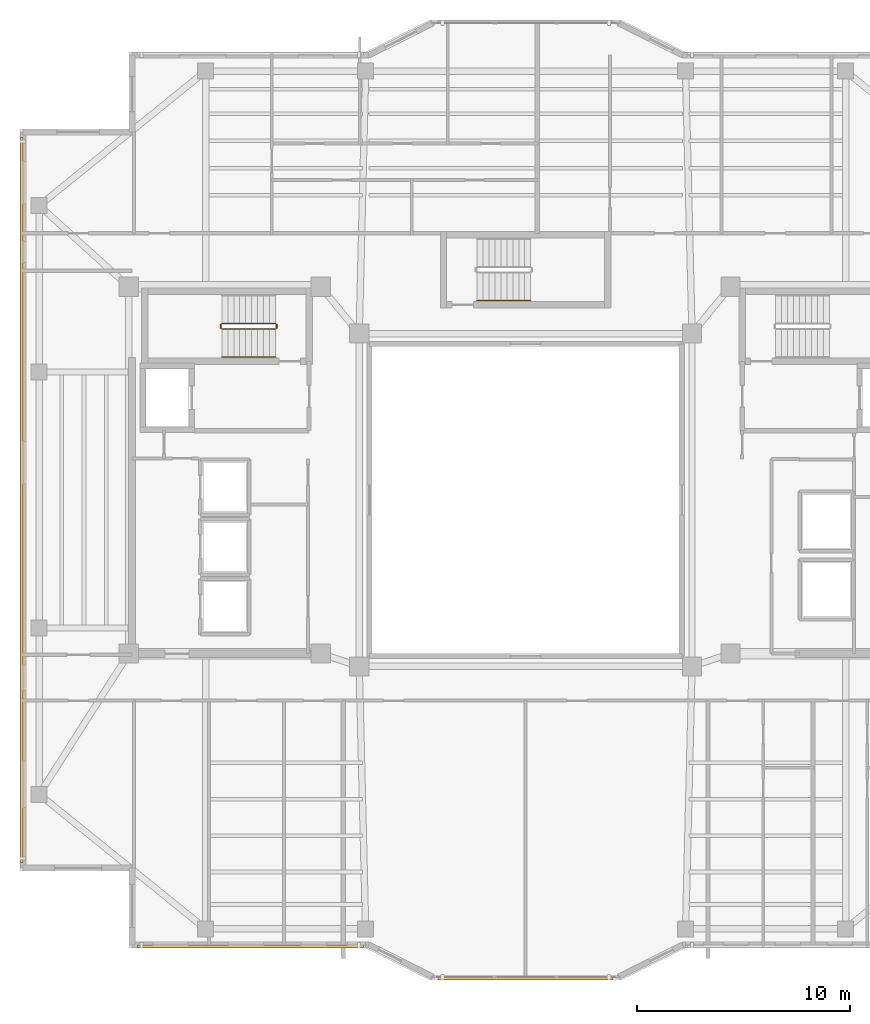
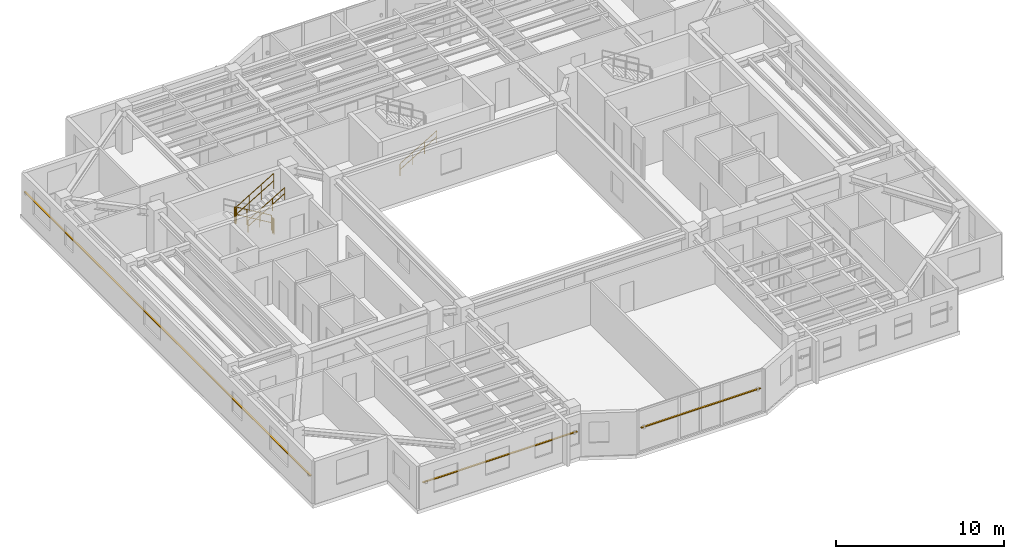
# One storey, part 11 of 13: 6 railings, 3 shading devices.
"""IFC4 building model written with IfcOpenShell, lengths in metres."""

import ifcopenshell
import ifcopenshell.guid

model = None  # the IFC model being written
_history = None  # IfcOwnerHistory: only IFC2X3 demands one
_inside = {}  # id of a spatial element -> (the spatial element, [elements in it])
_under = {}  # id of a project, library or spatial element -> (it, [spatial elements below it])
_declared = {}  # id of a project -> (the project, [libraries it declares])
_typed = {}  # id of a type object -> (the type object, [elements of that type])
_made_of = {}  # id of a material, layer set ... -> (it, [elements and type objects made of it])


def new_model(schema):
    """Start an empty IFC model of exactly this schema.

    Asked for "IFC4X3", IfcOpenShell would pick the latest addendum, in which some entities
    have other attributes; the version numbers below select the first issue.
    IFC2X3 requires an IfcOwnerHistory on every rooted entity: one is made here for all.
    """
    global model, _history
    if schema == "IFC4X3":
        model = ifcopenshell.file(schema_version=(4, 3, 0, 0))
    else:
        model = ifcopenshell.file(schema=schema)
    _inside.clear()
    _under.clear()
    _declared.clear()
    _typed.clear()
    _made_of.clear()
    _history = None
    if model.schema == "IFC2X3":
        org = make("IfcOrganization", Name="unknown")
        user = make(
            "IfcPersonAndOrganization",
            ThePerson=make("IfcPerson", FamilyName="unknown"),
            TheOrganization=org,
        )
        app = make(
            "IfcApplication",
            ApplicationDeveloper=org,
            Version="unknown",
            ApplicationFullName="unknown",
            ApplicationIdentifier="unknown",
        )
        _history = make(
            "IfcOwnerHistory",
            OwningUser=user,
            OwningApplication=app,
            ChangeAction="ADDED",
            CreationDate=0,
        )
    return model


def make(cls, **values):
    """One entity of the class cls with the attributes given. An attribute that is None is left unset."""
    return model.create_entity(
        cls, **{name: value for name, value in values.items() if value is not None}
    )


def rooted(cls, **values):
    """An entity with a GlobalId (a new one), such as an element, a storey or a relation."""
    return make(cls, GlobalId=ifcopenshell.guid.new(), OwnerHistory=_history, **values)


def si_unit(unit_type, name, prefix=None):
    """IfcSIUnit, for example si_unit("LENGTHUNIT", "METRE", prefix="MILLI")."""
    return make("IfcSIUnit", UnitType=unit_type, Prefix=prefix, Name=name)


def assignment(units):
    """IfcUnitAssignment: the units of a project."""
    return None if units is None else make("IfcUnitAssignment", Units=units)


def point(xyz):
    """IfcCartesianPoint."""
    return None if xyz is None else make("IfcCartesianPoint", Coordinates=xyz)


def direction(xyz):
    """IfcDirection."""
    return None if xyz is None else make("IfcDirection", DirectionRatios=xyz)


def frame(location, z_axis=None, x_axis=None):
    """IfcAxis2Placement3D, a coordinate frame: its origin and axes. An axis left out is left unset."""
    return make(
        "IfcAxis2Placement3D",
        Location=point(location),
        Axis=direction(z_axis),
        RefDirection=direction(x_axis),
    )


def frame_2d(location, x_axis=None):
    """IfcAxis2Placement2D, a coordinate frame in the plane: its origin and x axis."""
    return make(
        "IfcAxis2Placement2D", Location=point(location), RefDirection=direction(x_axis)
    )


def origin():
    """The frame at (0, 0, 0) with its axes left unset."""
    return frame((0.0, 0.0, 0.0))


def origin_2d():
    """The frame at (0, 0) in the plane with its x axis left unset."""
    return frame_2d((0.0, 0.0))


def place(relative_to, where):
    """IfcLocalPlacement: puts the frame where relative to a parent placement (None: the world)."""
    return make(
        "IfcLocalPlacement", PlacementRelTo=relative_to, RelativePlacement=where
    )


def context(
    kind, dimensions, precision=None, world=None, true_north=None, identifier=None
):
    """IfcGeometricRepresentationContext, for example the 3D "Model" context."""
    return make(
        "IfcGeometricRepresentationContext",
        ContextIdentifier=identifier,
        ContextType=kind,
        CoordinateSpaceDimension=dimensions,
        Precision=precision,
        WorldCoordinateSystem=world,
        TrueNorth=true_north,
    )


def subcontext(parent, identifier, kind, view, scale=None):
    """IfcGeometricRepresentationSubContext, for example "Body" below "Model"."""
    return make(
        "IfcGeometricRepresentationSubContext",
        ContextIdentifier=identifier,
        ContextType=kind,
        ParentContext=parent,
        TargetScale=scale,
        TargetView=view,
    )


def project(units=None, contexts=None):
    """IfcProject with its units and contexts."""
    return rooted(
        "IfcProject",
        Name="project",
        RepresentationContexts=contexts,
        UnitsInContext=assignment(units),
    )


def spatial(cls, under=None, at=None, **own):
    """A site, building, storey or space (cls), placed at a placement, below another one or the project."""
    s = rooted(cls, ObjectPlacement=at, **own)
    if under is not None:
        _under.setdefault(under.id(), (under, []))[1].append(s)
    return s


def profile(cls, at=None, kind="AREA", **sizes):
    """A parametric profile (cls). Its sizes go by their IFC names, for example OverallWidth=200.0."""
    return make(cls, ProfileType=kind, Position=at, **sizes)


def rectangle(**sizes):
    """IfcRectangleProfileDef."""
    return profile("IfcRectangleProfileDef", **sizes)


def circle(**sizes):
    """IfcCircleProfileDef."""
    return profile("IfcCircleProfileDef", **sizes)


def extrude(swept, where, along, depth):
    """IfcExtrudedAreaSolid: the profile swept, set in the frame where, extruded along a direction by depth."""
    return make(
        "IfcExtrudedAreaSolid",
        SweptArea=swept,
        Position=where,
        ExtrudedDirection=direction(along),
        Depth=depth,
    )


def shape(context_of_items, identifier, shape_type, items):
    """IfcShapeRepresentation: the items that make up one representation, for example the "Body"."""
    return make(
        "IfcShapeRepresentation",
        ContextOfItems=context_of_items,
        RepresentationIdentifier=identifier,
        RepresentationType=shape_type,
        Items=items,
    )


def material(Name=None, Category=None):
    """IfcMaterial."""
    return make("IfcMaterial", Name=Name, Category=Category)


def material_profile(
    of_material, cross_section, Name=None, Category=None, Priority=None
):
    """IfcMaterialProfile: a cross section and its material."""
    return make(
        "IfcMaterialProfile",
        Name=Name,
        Material=of_material,
        Profile=cross_section,
        Priority=Priority,
        Category=Category,
    )


def profile_set(profiles, Name=None, composite=None):
    """IfcMaterialProfileSet."""
    return make(
        "IfcMaterialProfileSet",
        Name=Name,
        MaterialProfiles=profiles,
        CompositeProfile=composite,
    )


def made_of(thing, what):
    """Note that an element or type object is made of a material, layer set ...; save() writes the relation."""
    if what is not None:
        _made_of.setdefault(what.id(), (what, []))[1].append(thing)
    return thing


def type_object(cls, material=None, **own):
    """A type object (cls), such as IfcWallType, which elements share."""
    return made_of(rooted(cls, **own), material)


def element(
    cls,
    number,
    at=None,
    inside=None,
    cuts=None,
    type_object=None,
    material=None,
    context=None,
    identifier="Body",
    shape_type=None,
    held_by="IfcProductDefinitionShape",
    body=None,
    shapes=None,
    **own,
):
    """One element of the class cls, such as IfcWall. Its Tag is "e" and its number.

    at: its placement. inside: the storey or other place that contains it. cuts: it is an
    opening in that element (IfcRelVoidsElement). A single representation is given by context,
    identifier, shape_type and body (its items); several are given by shapes. held_by: the class
    of the entity that holds the representations. save() writes the other relations.
    """
    e = rooted(cls, Tag="e%d" % number, ObjectPlacement=at, **own)
    if body is not None:
        shapes = [shape(context, identifier, shape_type, body)]
    if shapes is not None:
        e.Representation = make(held_by, Representations=shapes)
    if inside is not None:
        _inside.setdefault(inside.id(), (inside, []))[1].append(e)
    if cuts is not None:
        rooted(
            "IfcRelVoidsElement", RelatingBuildingElement=cuts, RelatedOpeningElement=e
        )
    if type_object is not None:
        _typed.setdefault(type_object.id(), (type_object, []))[1].append(e)
    return made_of(e, material)


def aggregate(whole, parts):
    """IfcRelAggregates: a whole, such as a stair, and the parts it consists of."""
    return rooted("IfcRelAggregates", RelatingObject=whole, RelatedObjects=parts)


def save(model, path):
    """Write the relations noted so far, then the file.

    IfcRelAggregates (storeys below a building ...), IfcRelContainedInSpatialStructure (elements
    in a storey), IfcRelDefinesByType, IfcRelAssociatesMaterial and IfcRelDeclares: one each for
    every whole, place, type object, material and project.
    """
    for whole, parts in _under.values():
        aggregate(whole, parts)
    for where, things in _inside.values():
        rooted(
            "IfcRelContainedInSpatialStructure",
            RelatedElements=things,
            RelatingStructure=where,
        )
    for kind, things in _typed.values():
        rooted("IfcRelDefinesByType", RelatedObjects=things, RelatingType=kind)
    for what, things in _made_of.values():
        rooted("IfcRelAssociatesMaterial", RelatedObjects=things, RelatingMaterial=what)
    for by, libraries in _declared.values():
        rooted("IfcRelDeclares", RelatingContext=by, RelatedDefinitions=libraries)
    model.write(path)


model = new_model("IFC4")

# Units and contexts
model_context = context("Model", 3, precision=1e-05, world=origin(), true_north=direction((0.0, 1.0)))
body_context = subcontext(model_context, "Body", "Model", "MODEL_VIEW")
ifc_project = project(units=[si_unit("LENGTHUNIT", "METRE"), si_unit("AREAUNIT", "SQUARE_METRE"), si_unit("VOLUMEUNIT", "CUBIC_METRE"), si_unit("PLANEANGLEUNIT", "RADIAN"), si_unit("MASSUNIT", "GRAM", prefix="KILO")], contexts=[model_context])

# Site, building, storey
site_placement = place(None, origin())
site = spatial("IfcSite", under=ifc_project, at=site_placement, CompositionType="ELEMENT")
building_placement = place(site_placement, origin())
building = spatial("IfcBuilding", under=site, at=building_placement, Name="Tarnavaz Court Tower", CompositionType="ELEMENT")
storey_placement = place(building_placement, frame((0.0, 0.0, 196.949951171875)))
storey = spatial("IfcBuildingStorey", under=building, at=storey_placement, Name="L53", CompositionType="ELEMENT", Elevation=196.949951171875)

# Railings
ifc_material_1 = material(Name="Brushed Stainless Steel", Category="steel")
railing_type_1 = type_object("IfcRailingType", Name="RL-HANDRAIL-900", PredefinedType="HANDRAIL", material=ifc_material_1)
for number, where, name in (
    (1, (-14.239990234375, 6.699951171875, 1.842529296875), "L53 ST-W1 stair handrail 2"),
    (2, (-2.280029296875, 9.35009765625, 0.16748046875), "L53 ST-N1 stair handrail 1"),
):
    element("IfcRailing", number, at=place(storey_placement, frame(where)), inside=storey, type_object=railing_type_1, Name=name, PredefinedType="HANDRAIL", context=body_context, shape_type="SweptSolid", body=[
        extrude(circle(Radius=0.02392578125, at=origin_2d()), frame((0.0, 0.0, 0.8759765625), z_axis=(0.858159760407, 0.0, 0.513382728203), x_axis=(0.0, 1.0, 0.0)), (0.0, 0.0, 1.0), 2.9365234375),
        extrude(circle(Radius=0.02392578125, at=origin_2d()), frame((0.0, 0.0, 0.449951171875), z_axis=(0.858159760407, 0.0, 0.513382728203), x_axis=(0.0, 1.0, 0.0)), (0.0, 0.0, 1.0), 2.9365234375),
        extrude(circle(Radius=0.02099609375, at=origin_2d()), origin(), (0.0, 0.0, 1.0), 0.851806640625),
        extrude(circle(Radius=0.02099609375, at=origin_2d()), frame((0.840087890625, 0.0, 0.50244140625)), (0.0, 0.0, 1.0), 0.851806640625),
        extrude(circle(Radius=0.02099609375, at=origin_2d()), frame((1.679931640625, 0.0, 1.005126953125)), (0.0, 0.0, 1.0), 0.851806640625),
        extrude(circle(Radius=0.02099609375, at=origin_2d()), frame((2.52001953125, 0.0, 1.507568359375)), (0.0, 0.0, 1.0), 0.851806640625),
    ])
ifc_material_2 = material(Name="Galvanized Painted Tubular Steel", Category="steel")
railing_type_2 = type_object("IfcRailingType", Name="RL-STGUARD-1120", PredefinedType="GUARDRAIL", material=ifc_material_2)
railing_1_placement = place(storey_placement, frame((-11.719970703125, 8.27001953125, 0.16748046875)))
element("IfcRailing", 3, at=railing_1_placement, inside=storey, type_object=railing_type_2, Name="L53 ST-W1 stair guard 1", PredefinedType="GUARDRAIL", context=body_context, shape_type="SweptSolid", body=[
    extrude(circle(Radius=0.02392578125, at=origin_2d()), frame((0.0, 0.0, 1.09619140625), z_axis=(-0.858159760407, 0.0, 0.513382728203), x_axis=(0.0, -1.0, 0.0)), (0.0, 0.0, 1.0), 2.9365234375),
    extrude(circle(Radius=0.02392578125, at=origin_2d()), frame((0.0, 0.0, 0.56005859375), z_axis=(-0.858159760407, 0.0, 0.513382728203), x_axis=(0.0, -1.0, 0.0)), (0.0, 0.0, 1.0), 2.9365234375),
    extrude(circle(Radius=0.02099609375, at=origin_2d()), origin(), (0.0, 0.0, 1.0), 1.072021484375),
    extrude(circle(Radius=0.02099609375, at=origin_2d()), frame((-0.840087890625, 0.0, 0.50244140625)), (0.0, 0.0, 1.0), 1.072021484375),
    extrude(circle(Radius=0.02099609375, at=origin_2d()), frame((-1.679931640625, 0.0, 1.005126953125)), (0.0, 0.0, 1.0), 1.072021484375),
    extrude(circle(Radius=0.02099609375, at=origin_2d()), frame((-2.52001953125, 0.0, 1.507568359375)), (0.0, 0.0, 1.0), 1.072021484375),
])
railing_2_placement = place(storey_placement, frame((-14.2900390625, 8.219970703125, 1.675048828125)))
element("IfcRailing", 4, at=railing_2_placement, inside=storey, type_object=railing_type_2, Name="L53 ST-W1 stair guard 2", PredefinedType="GUARDRAIL", context=body_context, shape_type="SweptSolid", body=[
    extrude(circle(Radius=0.02392578125, at=origin_2d()), frame((0.0, 0.0, 1.09619140625), z_axis=(0.0, -1.0, 0.0), x_axis=(1.0, 0.0, 0.0)), (0.0, 0.0, 1.0), 0.14990234375),
    extrude(circle(Radius=0.02392578125, at=origin_2d()), frame((0.0, 0.0, 0.56005859375), z_axis=(0.0, -1.0, 0.0), x_axis=(1.0, 0.0, 0.0)), (0.0, 0.0, 1.0), 0.14990234375),
    extrude(circle(Radius=0.02099609375, at=origin_2d()), origin(), (0.0, 0.0, 1.0), 1.072021484375),
    extrude(circle(Radius=0.02099609375, at=origin_2d()), frame((0.0, -0.14990234375, 0.0)), (0.0, 0.0, 1.0), 1.072021484375),
])
railing_3_placement = place(storey_placement, frame((-14.239990234375, 8.02001953125, 1.842529296875)))
element("IfcRailing", 5, at=railing_3_placement, inside=storey, type_object=railing_type_2, Name="L53 ST-W1 stair guard 3", PredefinedType="GUARDRAIL", context=body_context, shape_type="SweptSolid", body=[
    extrude(circle(Radius=0.02392578125, at=origin_2d()), frame((0.0, 0.0, 1.09619140625), z_axis=(0.858159760407, 0.0, 0.513382728203), x_axis=(0.0, 1.0, 0.0)), (0.0, 0.0, 1.0), 2.9365234375),
    extrude(circle(Radius=0.02392578125, at=origin_2d()), frame((0.0, 0.0, 0.56005859375), z_axis=(0.858159760407, 0.0, 0.513382728203), x_axis=(0.0, 1.0, 0.0)), (0.0, 0.0, 1.0), 2.9365234375),
    extrude(circle(Radius=0.02099609375, at=origin_2d()), origin(), (0.0, 0.0, 1.0), 1.072021484375),
    extrude(circle(Radius=0.02099609375, at=origin_2d()), frame((0.840087890625, 0.0, 0.50244140625)), (0.0, 0.0, 1.0), 1.072021484375),
    extrude(circle(Radius=0.02099609375, at=origin_2d()), frame((1.679931640625, 0.0, 1.005126953125)), (0.0, 0.0, 1.0), 1.072021484375),
    extrude(circle(Radius=0.02099609375, at=origin_2d()), frame((2.52001953125, 0.0, 1.507568359375)), (0.0, 0.0, 1.0), 1.072021484375),
])
railing_4_placement = place(storey_placement, frame((-11.669921875, 8.219970703125, 0.0)))
element("IfcRailing", 6, at=railing_4_placement, inside=storey, type_object=railing_type_2, Name="L53 ST-W1 stair guard 4", PredefinedType="GUARDRAIL", context=body_context, shape_type="SweptSolid", body=[
    extrude(circle(Radius=0.02392578125, at=origin_2d()), frame((0.0, 0.0, 1.09619140625), z_axis=(0.0, -1.0, 0.0), x_axis=(1.0, 0.0, 0.0)), (0.0, 0.0, 1.0), 0.14990234375),
    extrude(circle(Radius=0.02392578125, at=origin_2d()), frame((0.0, 0.0, 0.56005859375), z_axis=(0.0, -1.0, 0.0), x_axis=(1.0, 0.0, 0.0)), (0.0, 0.0, 1.0), 0.14990234375),
    extrude(circle(Radius=0.02099609375, at=origin_2d()), origin(), (0.0, 0.0, 1.0), 1.072021484375),
    extrude(circle(Radius=0.02099609375, at=origin_2d()), frame((0.0, -0.14990234375, 0.0)), (0.0, 0.0, 1.0), 1.072021484375),
])

# Shading devices
ifc_material_3 = material(Name="Kiln-Fired Khorasan Terracotta Ceramic", Category="masonry")
ifc_material_profile = material_profile(ifc_material_3, rectangle(XDim=0.1201171875, YDim=0.06005859375, at=origin_2d()), Name="TC BAGUETTE 120X60")
ifc_profile_set = profile_set([ifc_material_profile], Name="Kiln-Fired Khorasan Terracotta Ceramic")
shading_device_type = type_object("IfcShadingDeviceType", Name="SD-BAG-120", PredefinedType="USERDEFINED", material=ifc_profile_set)
shading_device_1_placement = place(storey_placement, frame((-23.610107421875, -17.0, 1.85009765625), z_axis=(0.0, 1.0, 0.0), x_axis=(-1.0, 0.0, 0.0)))
element("IfcShadingDevice", 7, at=shading_device_1_placement, inside=storey, type_object=shading_device_type, Name="L53 Terracotta Baguette Screen FBG02", ObjectType="BAGUETTE", PredefinedType="USERDEFINED", context=body_context, shape_type="SweptSolid", body=[
    extrude(rectangle(XDim=0.1201171875, YDim=0.06005859375, at=origin_2d()), origin(), (0.0, 0.0, 1.0), 34.0),
])
shading_device_2_placement = place(storey_placement, frame((4.10009765625, -22.409912109375, 1.800048828125), z_axis=(-1.0, 0.0, 0.0), x_axis=(0.0, -1.0, 0.0)))
element("IfcShadingDevice", 8, at=shading_device_2_placement, inside=storey, type_object=shading_device_type, Name="L53 Terracotta Baguette Screen PBG17", ObjectType="BAGUETTE", PredefinedType="USERDEFINED", context=body_context, shape_type="SweptSolid", body=[
    extrude(rectangle(XDim=0.1201171875, YDim=0.06005859375, at=origin_2d()), origin(), (0.0, 0.0, 1.0), 8.2001953125),
])
shading_device_3_placement = place(storey_placement, frame((-7.60009765625, -20.909912109375, 1.85009765625), z_axis=(-1.0, 0.0, 0.0), x_axis=(0.0, -1.0, 0.0)))
element("IfcShadingDevice", 9, at=shading_device_3_placement, inside=storey, type_object=shading_device_type, Name="L53 Terracotta Baguette Screen FBG19", ObjectType="BAGUETTE", PredefinedType="USERDEFINED", context=body_context, shape_type="SweptSolid", body=[
    extrude(rectangle(XDim=0.1201171875, YDim=0.06005859375, at=origin_2d()), origin(), (0.0, 0.0, 1.0), 10.599853515625),
])

save(model, "model.ifc")
